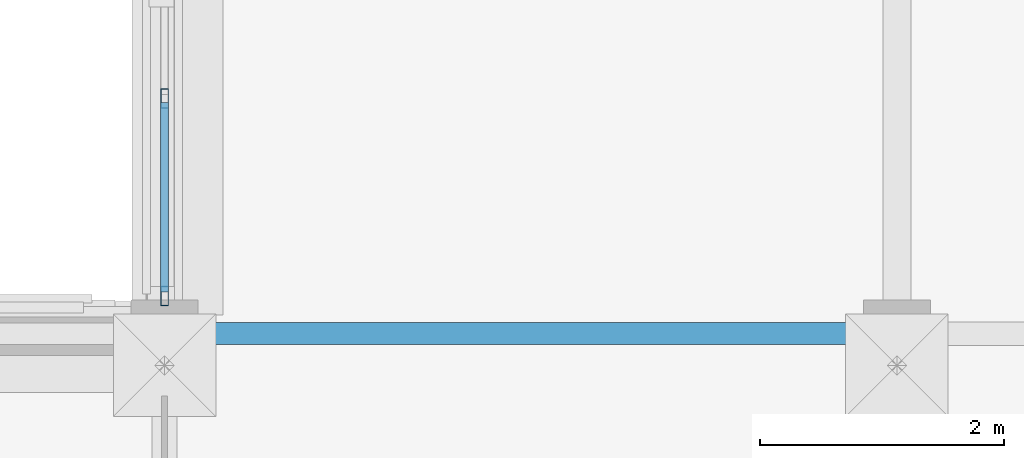
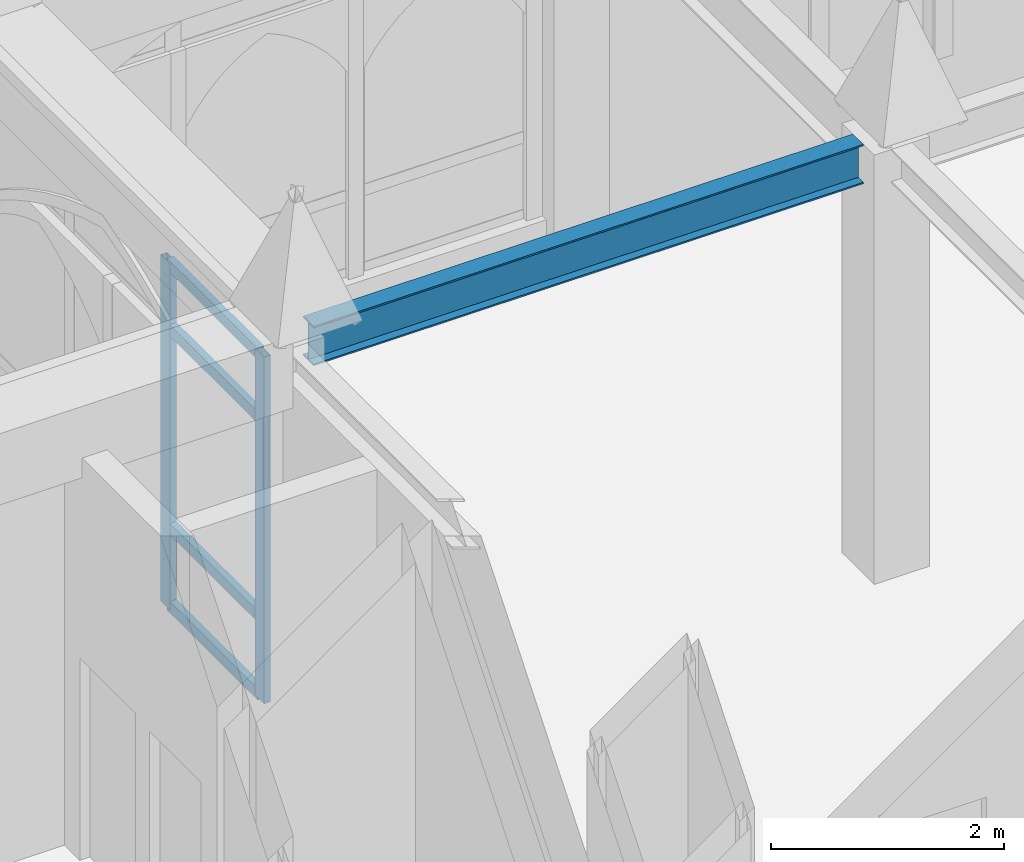
# One storey, part 49 of 108: 6 members, 1 beam, 1 element without a shape of its own.
"""IFC4 building model written with IfcOpenShell, lengths in metres."""

from ifc_helpers import new_model, si_unit, direction, frame, origin, origin_2d, place, context, subcontext, project, spatial, hollow_rectangle, i_section, extrude, material, layer, layer_set, material_profile, profile_set, type_object, element, aggregate, save


model = new_model("IFC4")

# Units and contexts
model_context = context("Model", 3, precision=1e-05, world=origin(), true_north=direction((0.0, 1.0)))
body_context = subcontext(model_context, "Body", "Model", "MODEL_VIEW")
ifc_project = project(units=[si_unit("LENGTHUNIT", "METRE"), si_unit("AREAUNIT", "SQUARE_METRE"), si_unit("VOLUMEUNIT", "CUBIC_METRE"), si_unit("PLANEANGLEUNIT", "RADIAN"), si_unit("MASSUNIT", "GRAM", prefix="KILO")], contexts=[model_context])

# Site, building, storey
site_placement = place(None, origin())
site = spatial("IfcSite", under=ifc_project, at=site_placement, CompositionType="ELEMENT")
building_placement = place(site_placement, origin())
building = spatial("IfcBuilding", under=site, at=building_placement, Name="Cumevento Cable Car Station", CompositionType="ELEMENT")
storey_placement = place(building_placement, frame((0.0, 0.0, 13.5)))
storey = spatial("IfcBuildingStorey", under=building, at=storey_placement, Name="L04", CompositionType="ELEMENT", Elevation=13.5)

# Curtain wall, members
ifc_material_1 = material(Name="Anodised Bronze Aluminium AW-6063-T6", Category="aluminium")
ifc_layer = layer(ifc_material_1, 0.243896484375)
ifc_layer_set = layer_set([ifc_layer], Name="Anodised Bronze Aluminium AW-6063-T6")
curtain_wall_type = type_object("IfcCurtainWallType", Name="Lancet Curtain Wall CW-15 1610", PredefinedType="NOTDEFINED", material=ifc_layer_set)
curtain_wall_placement = place(storey_placement, origin())
curtain_wall = element("IfcCurtainWall", 1, at=curtain_wall_placement, inside=storey, type_object=curtain_wall_type, Name="Lancet Curtain Wall CW-15 L04 #190", PredefinedType="NOTDEFINED")
ifc_material_2 = material(Name="Anodised Bronze Aluminium AW-6063-T6", Category="aluminium")
ifc_material_profile_1 = material_profile(ifc_material_2, hollow_rectangle(XDim=0.06494140625, YDim=0.159912109375, WallThickness=0.00390625, at=origin_2d()), Name="ALUM65x160x4")
ifc_profile_set_1 = profile_set([ifc_material_profile_1], Name="Anodised Bronze Aluminium AW-6063-T6")
member_type_1 = type_object("IfcMemberType", Name="Curtain Mullion CWM-01 ALUM65x160x4", PredefinedType="MULLION", material=ifc_profile_set_1)
member_1_placement = place(storey_placement, frame((130.0, 51.3076171875, 0.4599609375), z_axis=(0.0, 0.0, 1.0), x_axis=(-1.0, 0.0, 0.0)))
member_1 = element("IfcMember", 2, at=member_1_placement, type_object=member_type_1, Name="CW-15 mullion 1", PredefinedType="MULLION", context=body_context, shape_type="SweptSolid", body=[
    extrude(hollow_rectangle(XDim=0.06494140625, YDim=0.159912109375, WallThickness=0.00390625, at=origin_2d()), origin(), (0.0, 0.0, 1.0), 3.633056640625),
])
member_2_placement = place(storey_placement, frame((130.0, 52.925048828125, 0.4599609375), z_axis=(0.0, 0.0, 1.0), x_axis=(-1.0, 0.0, 0.0)))
member_2 = element("IfcMember", 3, at=member_2_placement, type_object=member_type_1, Name="CW-15 mullion 2", PredefinedType="MULLION", context=body_context, shape_type="SweptSolid", body=[
    extrude(hollow_rectangle(XDim=0.06494140625, YDim=0.159912109375, WallThickness=0.00390625, at=origin_2d()), origin(), (0.0, 0.0, 1.0), 3.633056640625),
])
ifc_material_3 = material(Name="Anodised Bronze Aluminium AW-6063-T6", Category="aluminium")
ifc_material_profile_2 = material_profile(ifc_material_3, hollow_rectangle(XDim=0.06494140625, YDim=0.1201171875, WallThickness=0.00390625, at=origin_2d()), Name="ALUT65x120x4")
ifc_profile_set_2 = profile_set([ifc_material_profile_2], Name="Anodised Bronze Aluminium AW-6063-T6")
member_type_2 = type_object("IfcMemberType", Name="Curtain Transom CWT-01 ALUT65x120x4", PredefinedType="USERDEFINED", material=ifc_profile_set_2)
member_3_placement = place(storey_placement, frame((130.0, 51.340087890625, 0.492431640625), z_axis=(0.0, 1.0, 0.0), x_axis=(-1.0, 0.0, 0.0)))
member_3 = element("IfcMember", 4, at=member_3_placement, type_object=member_type_2, Name="CW-15 transom 1.1", ObjectType="TRANSOM", PredefinedType="USERDEFINED", context=body_context, shape_type="SweptSolid", body=[
    extrude(hollow_rectangle(XDim=0.06494140625, YDim=0.1201171875, WallThickness=0.00390625, at=origin_2d()), origin(), (0.0, 0.0, 1.0), 1.552490234375),
])
member_4_placement = place(storey_placement, frame((130.0, 51.340087890625, 1.31005859375), z_axis=(0.0, 1.0, 0.0), x_axis=(-1.0, 0.0, 0.0)))
member_4 = element("IfcMember", 5, at=member_4_placement, type_object=member_type_2, Name="CW-15 transom 1.2", ObjectType="TRANSOM", PredefinedType="USERDEFINED", context=body_context, shape_type="SweptSolid", body=[
    extrude(hollow_rectangle(XDim=0.06494140625, YDim=0.1201171875, WallThickness=0.00390625, at=origin_2d()), origin(), (0.0, 0.0, 1.0), 1.552490234375),
])
member_5_placement = place(storey_placement, frame((130.0, 51.340087890625, 3.39306640625), z_axis=(0.0, 1.0, 0.0), x_axis=(-1.0, 0.0, 0.0)))
member_5 = element("IfcMember", 6, at=member_5_placement, type_object=member_type_2, Name="CW-15 transom 1.3", ObjectType="TRANSOM", PredefinedType="USERDEFINED", context=body_context, shape_type="SweptSolid", body=[
    extrude(hollow_rectangle(XDim=0.06494140625, YDim=0.1201171875, WallThickness=0.00390625, at=origin_2d()), origin(), (0.0, 0.0, 1.0), 1.552490234375),
])
member_6_placement = place(storey_placement, frame((130.0, 51.340087890625, 4.060546875), z_axis=(0.0, 1.0, 0.0), x_axis=(-1.0, 0.0, 0.0)))
member_6 = element("IfcMember", 7, at=member_6_placement, type_object=member_type_2, Name="CW-15 transom 1.4", ObjectType="TRANSOM", PredefinedType="USERDEFINED", context=body_context, shape_type="SweptSolid", body=[
    extrude(hollow_rectangle(XDim=0.06494140625, YDim=0.1201171875, WallThickness=0.00390625, at=origin_2d()), origin(), (0.0, 0.0, 1.0), 1.552490234375),
])
aggregate(curtain_wall, [member_1, member_2, member_3, member_4, member_5, member_6])

# Beam
ifc_material_4 = material(Name="Steel ASTM A572 Grade 50", Category="steel")
ifc_material_profile_3 = material_profile(ifc_material_4, i_section(OverallWidth=0.179931640625, OverallDepth=0.4130859375, WebThickness=0.009765625, FlangeThickness=0.01611328125, at=origin_2d()), Name="W410x74.0")
ifc_profile_set_3 = profile_set([ifc_material_profile_3], Name="Steel ASTM A572 Grade 50")
beam_type = type_object("IfcBeamType", Name="Structural Beam BM-09 W410x74.0", PredefinedType="BEAM", material=ifc_profile_set_3)
beam_placement = place(storey_placement, frame((130.27490234375, 51.0, 4.29345703125), z_axis=(1.0, 0.0, 0.0), x_axis=(0.0, 1.0, 0.0)))
element("IfcBeam", 8, at=beam_placement, inside=storey, type_object=beam_type, Name="Beam BM-09 L04 #1486", PredefinedType="BEAM", context=body_context, shape_type="SweptSolid", body=[
    extrude(i_section(OverallWidth=0.179931640625, OverallDepth=0.4130859375, WebThickness=0.009765625, FlangeThickness=0.01611328125, at=origin_2d()), origin(), (0.0, 0.0, 1.0), 5.4501953125),
])

save(model, "model.ifc")
